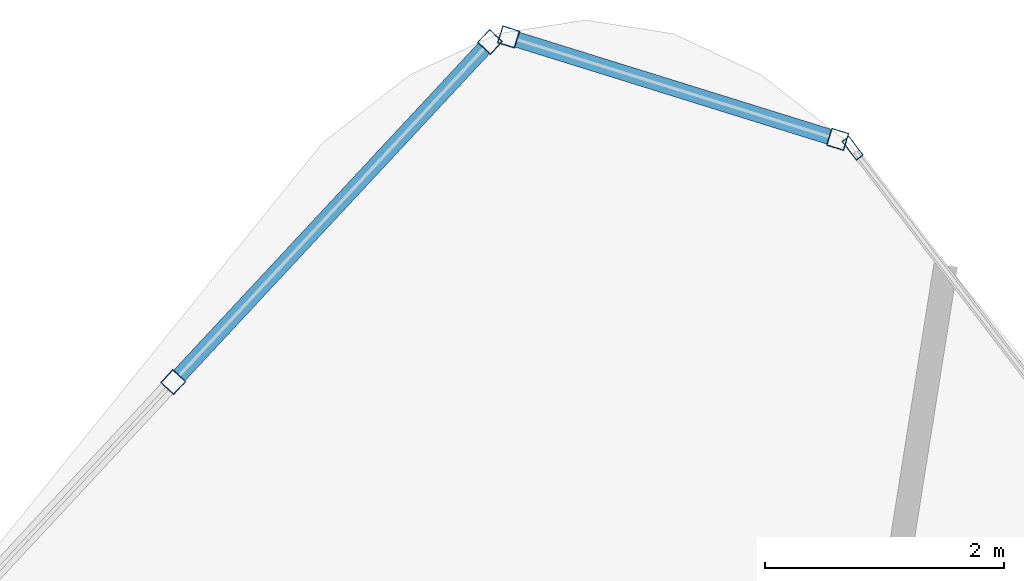
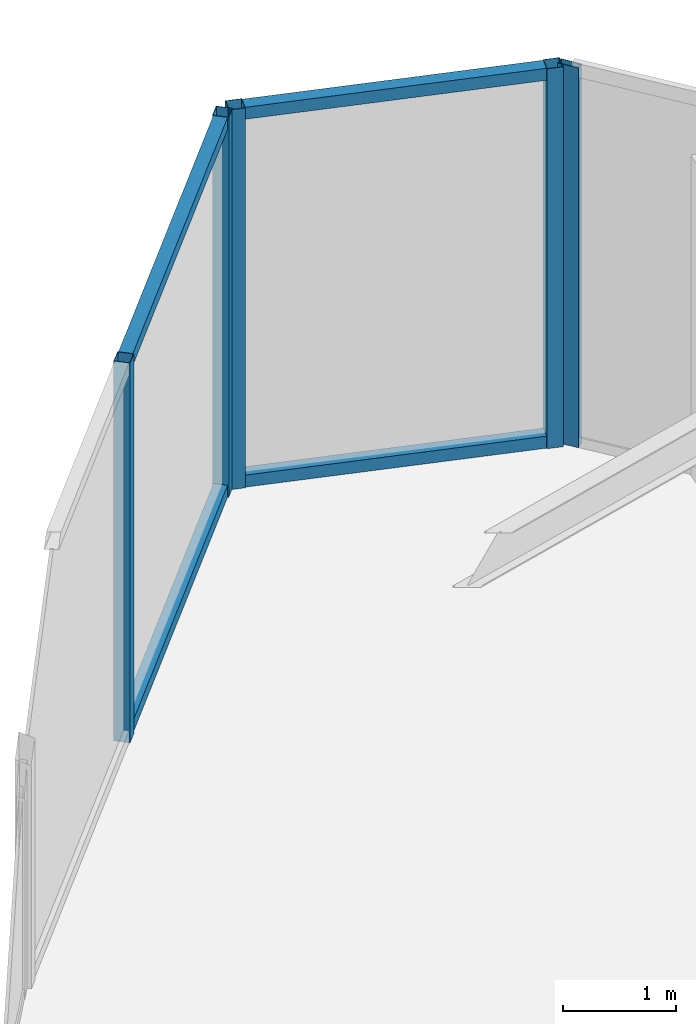
# One storey, part 23 of 33: 9 members, 3 elements without a shape of their own.
"""IFC4 building model written with IfcOpenShell, lengths in metres."""

from ifc_helpers import new_model, si_unit, direction, frame, origin, origin_2d, place, context, subcontext, project, spatial, hollow_rectangle, extrude, material, layer, layer_set, material_profile, profile_set, type_object, element, aggregate, save


model = new_model("IFC4")

# Units and contexts
model_context = context("Model", 3, precision=1e-05, world=origin(), true_north=direction((0.0, 1.0)))
body_context = subcontext(model_context, "Body", "Model", "MODEL_VIEW")
ifc_project = project(units=[si_unit("LENGTHUNIT", "METRE"), si_unit("AREAUNIT", "SQUARE_METRE"), si_unit("VOLUMEUNIT", "CUBIC_METRE"), si_unit("PLANEANGLEUNIT", "RADIAN"), si_unit("MASSUNIT", "GRAM", prefix="KILO")], contexts=[model_context])

# Site, building, storey
site_placement = place(None, origin())
site = spatial("IfcSite", under=ifc_project, at=site_placement, CompositionType="ELEMENT")
building_placement = place(site_placement, origin())
building = spatial("IfcBuilding", under=site, at=building_placement, Name="Orvanel Arch Residences", CompositionType="ELEMENT")
storey_placement = place(building_placement, frame((0.0, 0.0, 59.89990234375)))
storey = spatial("IfcBuildingStorey", under=building, at=storey_placement, Name="L16", CompositionType="ELEMENT", Elevation=59.89990234375)

# Curtain wall, members
ifc_material = material(Name="Bronze-anodised aluminium AA6063-T6", Category="aluminium")
ifc_layer_1 = layer(ifc_material, 0.18994140625)
ifc_layer_set_1 = layer_set([ifc_layer_1], Name="Bronze-anodised aluminium AA6063-T6")
curtain_wall_type_1 = type_object("IfcCurtainWallType", Name="CW5-CRN-SYS", PredefinedType="NOTDEFINED", material=ifc_layer_set_1)
curtain_wall_1_placement = place(storey_placement, origin())
curtain_wall_1 = element("IfcCurtainWall", 1, at=curtain_wall_1_placement, inside=storey, type_object=curtain_wall_type_1, Name="L16 CW5-CRN-SYS Unitised Curtain Wall", PredefinedType="NOTDEFINED")
ifc_material_profile_1 = material_profile(ifc_material, hollow_rectangle(XDim=0.14990234375, YDim=0.14990234375, WallThickness=0.0048828125, at=origin_2d()), Name="ALU150x150x5")
ifc_profile_set_1 = profile_set([ifc_material_profile_1], Name="Bronze-anodised aluminium AA6063-T6")
member_type_1 = type_object("IfcMemberType", Name="MUL-150x150", PredefinedType="MULLION", material=ifc_profile_set_1)
member_1_placement = place(storey_placement, frame((35.114501953125, 50.621337890625, 0.0), z_axis=(0.0, 0.0, 1.0), x_axis=(-0.297113217806, -0.954842257027, 0.0)))
member_1 = element("IfcMember", 2, at=member_1_placement, type_object=member_type_1, Name="CW-S5 mullion 1", PredefinedType="MULLION", context=body_context, shape_type="SweptSolid", body=[
    extrude(hollow_rectangle(XDim=0.14990234375, YDim=0.14990234375, WallThickness=0.0048828125, at=origin_2d()), origin(), (0.0, 0.0, 1.0), 4.110107421875),
])
member_2_placement = place(storey_placement, frame((32.355712890625, 51.479736328125, 0.0), z_axis=(0.0, 0.0, 1.0), x_axis=(-0.297113217806, -0.954842257027, 0.0)))
member_2 = element("IfcMember", 3, at=member_2_placement, type_object=member_type_1, Name="CW-S5 mullion 2", PredefinedType="MULLION", context=body_context, shape_type="SweptSolid", body=[
    extrude(hollow_rectangle(XDim=0.14990234375, YDim=0.14990234375, WallThickness=0.0048828125, at=origin_2d()), origin(), (0.0, 0.0, 1.0), 4.110107421875),
])

curtain_wall_2_placement = place(storey_placement, origin())
curtain_wall_2 = element("IfcCurtainWall", 4, at=curtain_wall_2_placement, inside=storey, type_object=curtain_wall_type_1, Name="L16 CW5-CRN-SYS Unitised Curtain Wall", PredefinedType="NOTDEFINED")
member_3_placement = place(storey_placement, frame((32.199951171875, 51.438232421875, 0.0), z_axis=(0.0, 0.0, 1.0), x_axis=(0.73171641002, -0.68160919544, 0.0)))
member_3 = element("IfcMember", 5, at=member_3_placement, type_object=member_type_1, Name="CW-S5 mullion 1", PredefinedType="MULLION", context=body_context, shape_type="SweptSolid", body=[
    extrude(hollow_rectangle(XDim=0.14990234375, YDim=0.14990234375, WallThickness=0.0048828125, at=origin_2d()), origin(), (0.0, 0.0, 1.0), 4.110107421875),
])
member_4_placement = place(storey_placement, frame((29.5439453125, 48.5869140625, 0.0), z_axis=(0.0, 0.0, 1.0), x_axis=(0.73171641002, -0.68160919544, 0.0)))
member_4 = element("IfcMember", 6, at=member_4_placement, type_object=member_type_1, Name="CW-S5 mullion 2", PredefinedType="MULLION", context=body_context, shape_type="SweptSolid", body=[
    extrude(hollow_rectangle(XDim=0.14990234375, YDim=0.14990234375, WallThickness=0.0048828125, at=origin_2d()), origin(), (0.0, 0.0, 1.0), 4.110107421875),
])

# Curtain wall, member
ifc_layer_2 = layer(ifc_material, 0.195068359375)
ifc_layer_set_2 = layer_set([ifc_layer_2], Name="Bronze-anodised aluminium AA6063-T6")
curtain_wall_type_2 = type_object("IfcCurtainWallType", Name="CW6-COM-SYS", PredefinedType="NOTDEFINED", material=ifc_layer_set_2)
curtain_wall_3_placement = place(storey_placement, origin())
curtain_wall_3 = element("IfcCurtainWall", 7, at=curtain_wall_3_placement, inside=storey, type_object=curtain_wall_type_2, Name="L16 CW6-COM-SYS Unitised Curtain Wall", PredefinedType="NOTDEFINED")
ifc_material_profile_2 = material_profile(ifc_material, hollow_rectangle(XDim=0.074951171875, YDim=0.199951171875, WallThickness=0.0048828125, at=origin_2d()), Name="ALU200x75x5")
ifc_profile_set_2 = profile_set([ifc_material_profile_2], Name="Bronze-anodised aluminium AA6063-T6")
member_type_2 = type_object("IfcMemberType", Name="MUL-200x75", PredefinedType="MULLION", material=ifc_profile_set_2)
member_5_placement = place(storey_placement, frame((35.23974609375, 50.547119140625, 0.0), z_axis=(0.0, 0.0, 1.0), x_axis=(-0.795041304706, -0.606555293284, 0.0)))
member_5 = element("IfcMember", 8, at=member_5_placement, type_object=member_type_2, Name="CW-S6 mullion 4", PredefinedType="MULLION", context=body_context, shape_type="SweptSolid", body=[
    extrude(hollow_rectangle(XDim=0.074951171875, YDim=0.199951171875, WallThickness=0.0048828125, at=origin_2d()), origin(), (0.0, 0.0, 1.0), 4.110107421875),
])
aggregate(curtain_wall_3, [member_5])

# Member
ifc_material_profile_3 = material_profile(ifc_material, hollow_rectangle(XDim=0.1298828125, YDim=0.1298828125, WallThickness=0.00439453125, at=origin_2d()), Name="ALU130x130x4.5")
ifc_profile_set_3 = profile_set([ifc_material_profile_3], Name="Bronze-anodised aluminium AA6063-T6")
member_type_3 = type_object("IfcMemberType", Name="TRN-130x130", PredefinedType="USERDEFINED", material=ifc_profile_set_3)
member_6_placement = place(storey_placement, frame((35.042724609375, 50.6435546875, 0.065185546875), z_axis=(-0.954829805214, 0.297153231642, 0.0), x_axis=(-0.297153231642, -0.954829805214, 0.0)))
member_6 = element("IfcMember", 9, at=member_6_placement, type_object=member_type_3, Name="CW-S5 transom 1.1", ObjectType="TRANSOM", PredefinedType="USERDEFINED", context=body_context, shape_type="SweptSolid", body=[
    extrude(hollow_rectangle(XDim=0.1298828125, YDim=0.1298828125, WallThickness=0.00439453125, at=origin_2d()), origin(), (0.0, 0.0, 1.0), 2.7392578125),
])

member_7_placement = place(storey_placement, frame((35.042724609375, 50.6435546875, 4.045166015625), z_axis=(-0.954829805214, 0.297153231642, 0.0), x_axis=(-0.297153231642, -0.954829805214, 0.0)))
member_7 = element("IfcMember", 10, at=member_7_placement, type_object=member_type_3, Name="CW-S5 transom 1.2", ObjectType="TRANSOM", PredefinedType="USERDEFINED", context=body_context, shape_type="SweptSolid", body=[
    extrude(hollow_rectangle(XDim=0.1298828125, YDim=0.1298828125, WallThickness=0.00439453125, at=origin_2d()), origin(), (0.0, 0.0, 1.0), 2.7392578125),
])

aggregate(curtain_wall_1, [member_1, member_2, member_6, member_7])

member_8_placement = place(storey_placement, frame((32.148681640625, 51.38330078125, 0.065185546875), z_axis=(-0.681572587142, -0.731750509707, 0.0), x_axis=(0.731750509707, -0.681572587142, 0.0)))
member_8 = element("IfcMember", 11, at=member_8_placement, type_object=member_type_3, Name="CW-S5 transom 1.1", ObjectType="TRANSOM", PredefinedType="USERDEFINED", context=body_context, shape_type="SweptSolid", body=[
    extrude(hollow_rectangle(XDim=0.1298828125, YDim=0.1298828125, WallThickness=0.00439453125, at=origin_2d()), origin(), (0.0, 0.0, 1.0), 3.746337890625),
])

member_9_placement = place(storey_placement, frame((32.148681640625, 51.38330078125, 4.045166015625), z_axis=(-0.681572587142, -0.731750509707, 0.0), x_axis=(0.731750509707, -0.681572587142, 0.0)))
member_9 = element("IfcMember", 12, at=member_9_placement, type_object=member_type_3, Name="CW-S5 transom 1.2", ObjectType="TRANSOM", PredefinedType="USERDEFINED", context=body_context, shape_type="SweptSolid", body=[
    extrude(hollow_rectangle(XDim=0.1298828125, YDim=0.1298828125, WallThickness=0.00439453125, at=origin_2d()), origin(), (0.0, 0.0, 1.0), 3.746337890625),
])

aggregate(curtain_wall_2, [member_3, member_4, member_8, member_9])

save(model, "model.ifc")
